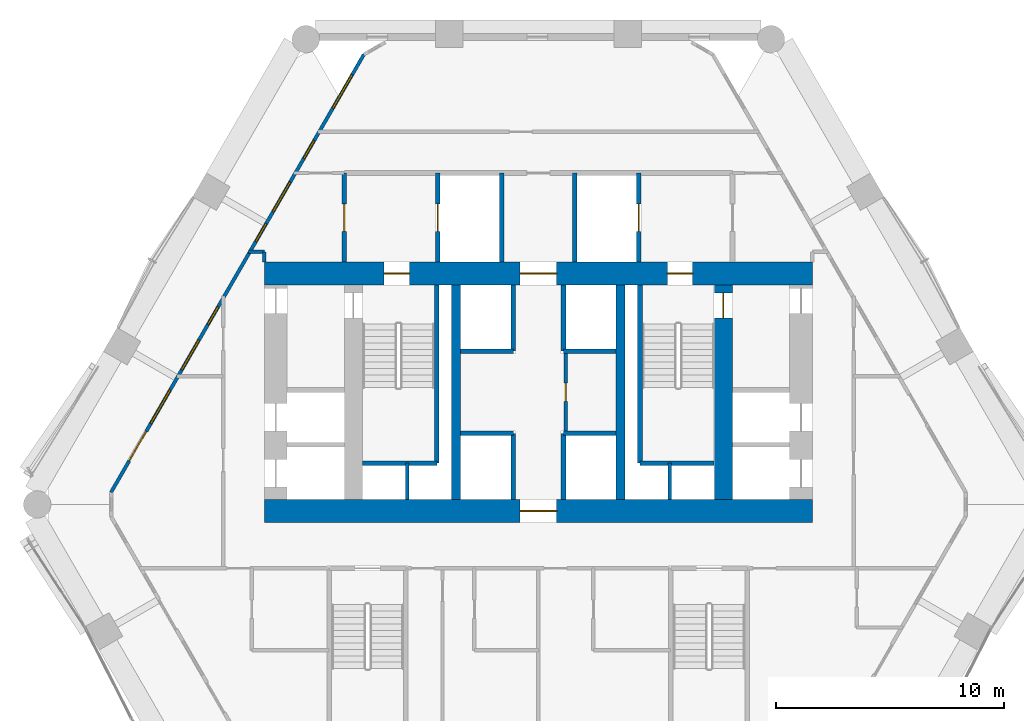
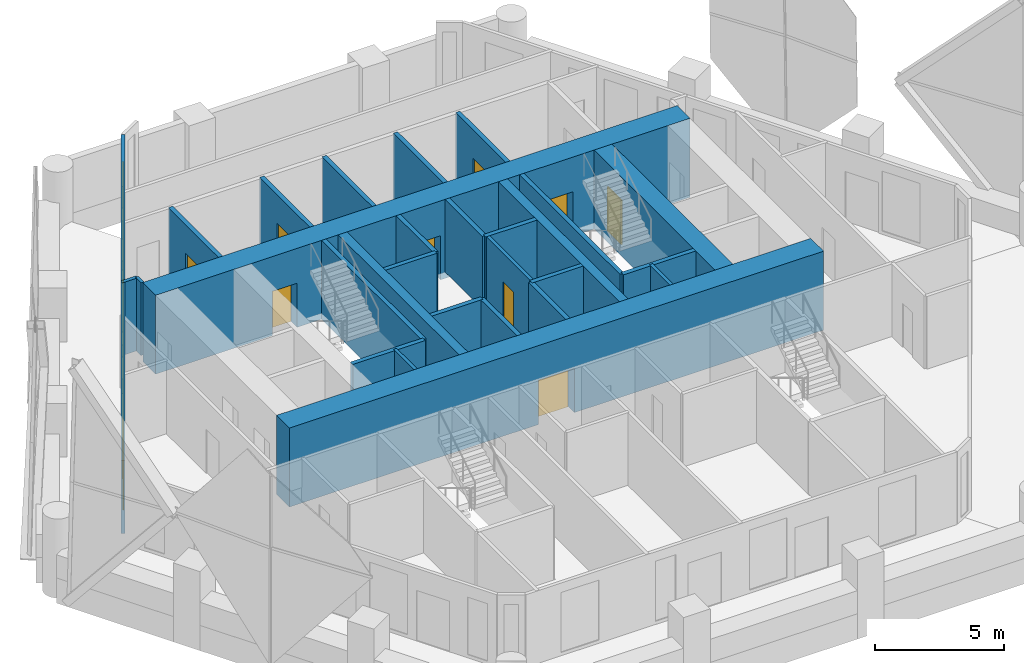
# One storey, part 11 of 17: 28 walls, 10 doors, 7 windows, 17 openings.
"""IFC4 building model written with IfcOpenShell, lengths in metres."""

from ifc_helpers import new_model, si_unit, direction, frame, frame_2d, origin, place, context, subcontext, project, spatial, rectangle, extrude, material, layer, layer_set, type_object, element, fill, save


model = new_model("IFC4")

# Units and contexts
model_context = context("Model", 3, precision=1e-05, world=origin(), true_north=direction((0.0, 1.0)))
body_context = subcontext(model_context, "Body", "Model", "MODEL_VIEW")
ifc_project = project(units=[si_unit("LENGTHUNIT", "METRE"), si_unit("AREAUNIT", "SQUARE_METRE"), si_unit("VOLUMEUNIT", "CUBIC_METRE"), si_unit("PLANEANGLEUNIT", "RADIAN"), si_unit("MASSUNIT", "GRAM", prefix="KILO")], contexts=[model_context])

# Site, building, storey
site_placement = place(None, origin())
site = spatial("IfcSite", under=ifc_project, at=site_placement, CompositionType="ELEMENT")
building_placement = place(site_placement, origin())
building = spatial("IfcBuilding", under=site, at=building_placement, Name="Ostrander Bayou Hotel Tower", CompositionType="ELEMENT")
storey_placement = place(building_placement, frame((0.0, 0.0, 127.25)))
storey = spatial("IfcBuildingStorey", under=building, at=storey_placement, Name="L31", CompositionType="ELEMENT", Elevation=127.25)

# Wall, opening, door
ifc_material_1 = material(Name="Concrete f'c 70 MPa", Category="concrete")
ifc_layer_1 = layer(ifc_material_1, 1.0)
ifc_layer_set_1 = layer_set([ifc_layer_1], Name="CW4 core wall 1000 mm f'c 70 MPa")
wall_type_1 = type_object("IfcWallType", Name="CW4 core wall 1000 mm f'c 70 MPa", PredefinedType="SHEAR", material=ifc_layer_set_1)
wall_1_placement = place(storey_placement, frame((-12.0, -1.199951171875, -0.300048828125), z_axis=(0.0, 0.0, 1.0), x_axis=(1.0, 0.0, 0.0)))
wall_1 = element("IfcWall", 1, at=wall_1_placement, inside=storey, type_object=wall_type_1, Name="CW4 L31 S", PredefinedType="SHEAR", context=body_context, shape_type="SweptSolid", body=[
    extrude(rectangle(XDim=24.0, YDim=1.0, at=frame_2d((12.0, 0.0))), origin(), (0.0, 0.0, 1.0), 3.75),
])
opening_1_placement = place(wall_1_placement, frame((11.199951171875, 0.0, 0.0)))
opening_1 = element("IfcOpeningElement", 2, at=opening_1_placement, cuts=wall_1, Name="Opening T31-001", PredefinedType="OPENING", context=body_context, shape_type="SweptSolid", body=[
    extrude(rectangle(XDim=1.60009765625, YDim=2.10009765625, at=frame_2d((0.800048828125, 1.050048828125))), frame((0.0, 0.5, 0.0), z_axis=(0.0, -1.0, 0.0), x_axis=(1.0, 0.0, 0.0)), (0.0, 0.0, 1.0), 1.0),
])
ifc_material_2 = material(Name="Timber door leaf", Category="wood")
door_type_1 = type_object("IfcDoorType", Name="D13 double door 1600 x 2100 mm, 1 hour", OperationType="SINGLE_SWING_LEFT", PredefinedType="DOOR", material=ifc_material_2)
door_1_placement = place(opening_1_placement, origin())
door_1 = element("IfcDoor", 3, at=door_1_placement, inside=storey, type_object=door_type_1, Name="dr:L31:001", OperationType="DOUBLE_DOOR_SINGLE_SWING", OverallHeight=2.10009765625, OverallWidth=1.60009765625, PredefinedType="DOOR", context=body_context, shape_type="SweptSolid", body=[
    extrude(rectangle(XDim=1.60009765625, YDim=2.10009765625, at=frame_2d((0.800048828125, 1.050048828125))), frame((0.0, 0.02490234375, 0.0), z_axis=(0.0, -1.0, 0.0), x_axis=(1.0, 0.0, 0.0)), (0.0, 0.0, 1.0), 0.050048828125),
])
fill(opening_1, door_1)

# Wall, openings, doors
wall_2_placement = place(storey_placement, frame((-12.0, 9.199951171875, -0.300048828125), z_axis=(0.0, 0.0, 1.0), x_axis=(1.0, 0.0, 0.0)))
wall_2 = element("IfcWall", 4, at=wall_2_placement, inside=storey, type_object=wall_type_1, Name="CW4 L31 N", PredefinedType="SHEAR", context=body_context, shape_type="SweptSolid", body=[
    extrude(rectangle(XDim=24.0, YDim=1.0, at=frame_2d((12.0, 0.0))), origin(), (0.0, 0.0, 1.0), 3.75),
])
opening_2_placement = place(wall_2_placement, frame((11.199951171875, 0.0, 0.0)))
opening_2 = element("IfcOpeningElement", 5, at=opening_2_placement, cuts=wall_2, Name="Opening T31-002", PredefinedType="OPENING", context=body_context, shape_type="SweptSolid", body=[
    extrude(rectangle(XDim=1.60009765625, YDim=2.10009765625, at=frame_2d((0.800048828125, 1.050048828125))), frame((0.0, 0.5, 0.0), z_axis=(0.0, -1.0, 0.0), x_axis=(1.0, 0.0, 0.0)), (0.0, 0.0, 1.0), 1.0),
])
opening_3_placement = place(wall_2_placement, frame((5.25, 0.0, 0.0)))
opening_3 = element("IfcOpeningElement", 6, at=opening_3_placement, cuts=wall_2, Name="Opening T31-003", PredefinedType="OPENING", context=body_context, shape_type="SweptSolid", body=[
    extrude(rectangle(XDim=1.10009765625, YDim=2.10009765625, at=frame_2d((0.550048828125, 1.050048828125))), frame((0.0, 0.5, 0.0), z_axis=(0.0, -1.0, 0.0), x_axis=(1.0, 0.0, 0.0)), (0.0, 0.0, 1.0), 1.0),
])
opening_4_placement = place(wall_2_placement, frame((17.64990234375, 0.0, 0.0)))
opening_4 = element("IfcOpeningElement", 7, at=opening_4_placement, cuts=wall_2, Name="Opening T31-005", PredefinedType="OPENING", context=body_context, shape_type="SweptSolid", body=[
    extrude(rectangle(XDim=1.10009765625, YDim=2.10009765625, at=frame_2d((0.550048828125, 1.050048828125))), frame((0.0, 0.5, 0.0), z_axis=(0.0, -1.0, 0.0), x_axis=(1.0, 0.0, 0.0)), (0.0, 0.0, 1.0), 1.0),
])
door_2_placement = place(opening_2_placement, origin())
door_2 = element("IfcDoor", 8, at=door_2_placement, inside=storey, type_object=door_type_1, Name="dr:L31:002", OperationType="DOUBLE_DOOR_SINGLE_SWING", OverallHeight=2.10009765625, OverallWidth=1.60009765625, PredefinedType="DOOR", context=body_context, shape_type="SweptSolid", body=[
    extrude(rectangle(XDim=1.60009765625, YDim=2.10009765625, at=frame_2d((0.800048828125, 1.050048828125))), frame((0.0, 0.02490234375, 0.0), z_axis=(0.0, -1.0, 0.0), x_axis=(1.0, 0.0, 0.0)), (0.0, 0.0, 1.0), 0.050048828125),
])
fill(opening_2, door_2)
ifc_material_3 = material(Name="Timber door leaf", Category="wood")
door_type_2 = type_object("IfcDoorType", Name="D5 stair door 1100 x 2100 mm, 90 minute", OperationType="SINGLE_SWING_LEFT", PredefinedType="DOOR", material=ifc_material_3)
door_3_placement = place(opening_3_placement, origin())
door_3 = element("IfcDoor", 9, at=door_3_placement, inside=storey, type_object=door_type_2, Name="dr:L31:003", OperationType="SINGLE_SWING_LEFT", OverallHeight=2.10009765625, OverallWidth=1.10009765625, PredefinedType="DOOR", context=body_context, shape_type="SweptSolid", body=[
    extrude(rectangle(XDim=1.10009765625, YDim=2.10009765625, at=frame_2d((0.550048828125, 1.050048828125))), frame((0.0, 0.02490234375, 0.0), z_axis=(0.0, -1.0, 0.0), x_axis=(1.0, 0.0, 0.0)), (0.0, 0.0, 1.0), 0.050048828125),
])
fill(opening_3, door_3)
door_4_placement = place(opening_4_placement, origin())
door_4 = element("IfcDoor", 10, at=door_4_placement, inside=storey, type_object=door_type_2, Name="dr:L31:005", OperationType="SINGLE_SWING_RIGHT", OverallHeight=2.10009765625, OverallWidth=1.10009765625, PredefinedType="DOOR", context=body_context, shape_type="SweptSolid", body=[
    extrude(rectangle(XDim=1.10009765625, YDim=2.10009765625, at=frame_2d((0.550048828125, 1.050048828125))), frame((0.0, 0.02490234375, 0.0), z_axis=(0.0, -1.0, 0.0), x_axis=(1.0, 0.0, 0.0)), (0.0, 0.0, 1.0), 0.050048828125),
])
fill(opening_4, door_4)

# Wall, opening, door
ifc_material_4 = material(Name="Concrete f'c 70 MPa", Category="concrete")
ifc_layer_2 = layer(ifc_material_4, 0.800048828125)
ifc_layer_set_2 = layer_set([ifc_layer_2], Name="CW5 core spine wall 800 mm f'c 70 MPa")
wall_type_2 = type_object("IfcWallType", Name="CW5 core spine wall 800 mm f'c 70 MPa", PredefinedType="SHEAR", material=ifc_layer_set_2)
wall_3_placement = place(storey_placement, frame((8.10009765625, -0.699951171875, -0.300048828125), z_axis=(0.0, 0.0, 1.0), x_axis=(0.0, 1.0, 0.0)))
wall_3 = element("IfcWall", 11, at=wall_3_placement, inside=storey, type_object=wall_type_2, Name="CW5 L31 E", PredefinedType="SHEAR", context=body_context, shape_type="SweptSolid", body=[
    extrude(rectangle(XDim=9.39990234375, YDim=0.800048828125, at=frame_2d((4.699951171875, 0.0))), origin(), (0.0, 0.0, 1.0), 3.75),
])
opening_5_placement = place(wall_3_placement, frame((7.949951171875, 0.0, 0.0)))
opening_5 = element("IfcOpeningElement", 12, at=opening_5_placement, cuts=wall_3, Name="Opening T31-006", PredefinedType="OPENING", context=body_context, shape_type="SweptSolid", body=[
    extrude(rectangle(XDim=1.10009765625, YDim=2.10009765625, at=frame_2d((0.550048828125, 1.050048828125))), frame((0.0, 0.39990234375, 0.0), z_axis=(0.0, -1.0, 0.0), x_axis=(1.0, 0.0, 0.0)), (0.0, 0.0, 1.0), 0.800048828125),
])
door_5_placement = place(opening_5_placement, origin())
door_5 = element("IfcDoor", 13, at=door_5_placement, inside=storey, type_object=door_type_2, Name="dr:L31:006", OperationType="SINGLE_SWING_LEFT", OverallHeight=2.10009765625, OverallWidth=1.10009765625, PredefinedType="DOOR", context=body_context, shape_type="SweptSolid", body=[
    extrude(rectangle(XDim=1.10009765625, YDim=2.10009765625, at=frame_2d((0.550048828125, 1.050048828125))), frame((0.0, 0.02490234375, 0.0), z_axis=(0.0, -1.0, 0.0), x_axis=(1.0, 0.0, 0.0)), (0.0, 0.0, 1.0), 0.050048828125),
])
fill(opening_5, door_5)

# Walls
ifc_material_5 = material(Name="Concrete f'c 70 MPa", Category="concrete")
ifc_layer_3 = layer(ifc_material_5, 0.39990234375)
ifc_layer_set_3 = layer_set([ifc_layer_3], Name="CW6 core bank wall 400 mm f'c 70 MPa")
wall_type_3 = type_object("IfcWallType", Name="CW6 core bank wall 400 mm f'c 70 MPa", PredefinedType="SHEAR", material=ifc_layer_set_3)
for number, where, z_axis, x_axis, name in (
    (14, (-3.60009765625, -0.699951171875, -0.300048828125), (0.0, 0.0, 1.0), (0.0, 1.0, 0.0), "CW6 L31 CW"),
    (15, (3.60009765625, -0.699951171875, -0.300048828125), (0.0, 0.0, 1.0), (0.0, 1.0, 0.0), "CW6 L31 CE"),
):
    element("IfcWall", number, at=place(storey_placement, frame(where, z_axis=z_axis, x_axis=x_axis)), inside=storey, type_object=wall_type_3, Name=name, PredefinedType="SHEAR", context=body_context, shape_type="SweptSolid", body=[
        extrude(rectangle(XDim=9.39990234375, YDim=0.39990234375, at=frame_2d((4.699951171875, 0.0))), origin(), (0.0, 0.0, 1.0), 3.75),
    ])

# Wall, openings, door, windows
ifc_material_6 = material(Name="Aluminium framed insulated wall", Category="aluminium")
ifc_layer_4 = layer(ifc_material_6, 0.14990234375)
ifc_layer_set_4 = layer_set([ifc_layer_4], Name="GW1 glass-line wall 150 mm")
wall_type_4 = type_object("IfcWallType", Name="GW1 glass-line wall 150 mm", PredefinedType="SOLIDWALL", material=ifc_layer_set_4)
wall_4_placement = place(storey_placement, frame((-7.6416015625, 18.79248046875, 0.0), z_axis=(0.0, 0.0, 1.0), x_axis=(-0.500001219746, -0.866024699562, 0.0)))
wall_4 = element("IfcWall", 16, at=wall_4_placement, inside=storey, type_object=wall_type_4, Name="GW1 L31 NW 1", PredefinedType="SOLIDWALL", context=body_context, shape_type="SweptSolid", body=[
    extrude(rectangle(XDim=22.13671875, YDim=0.14990234375, at=frame_2d((11.068359375, 0.0))), origin(), (0.0, 0.0, 1.0), 3.449951171875),
])
opening_6_placement = place(wall_4_placement, frame((4.35400390625, 0.0, 0.14990234375)))
opening_6 = element("IfcOpeningElement", 17, at=opening_6_placement, cuts=wall_4, Name="Opening W16", PredefinedType="OPENING", context=body_context, shape_type="SweptSolid", body=[
    extrude(rectangle(XDim=0.89990234375, YDim=2.85009765625, at=frame_2d((0.449951171875, 1.425048828125))), frame((0.0, 0.074951171875, 0.0), z_axis=(0.0, -1.0, 0.0), x_axis=(1.0, 0.0, 0.0)), (0.0, 0.0, 1.0), 0.14990234375),
])
opening_7_placement = place(wall_4_placement, frame((6.4541015625, 0.0, 0.14990234375)))
opening_7 = element("IfcOpeningElement", 18, at=opening_7_placement, cuts=wall_4, Name="Opening W12", PredefinedType="OPENING", context=body_context, shape_type="SweptSolid", body=[
    extrude(rectangle(XDim=1.5, YDim=2.85009765625, at=frame_2d((0.75, 1.425048828125))), frame((0.0, 0.074951171875, 0.0), z_axis=(0.0, -1.0, 0.0), x_axis=(1.0, 0.0, 0.0)), (0.0, 0.0, 1.0), 0.14990234375),
])
opening_8_placement = place(wall_4_placement, frame((8.553955078125, 0.0, 0.14990234375)))
opening_8 = element("IfcOpeningElement", 19, at=opening_8_placement, cuts=wall_4, Name="Opening W16", PredefinedType="OPENING", context=body_context, shape_type="SweptSolid", body=[
    extrude(rectangle(XDim=0.89990234375, YDim=2.85009765625, at=frame_2d((0.449951171875, 1.425048828125))), frame((0.0, 0.074951171875, 0.0), z_axis=(0.0, -1.0, 0.0), x_axis=(1.0, 0.0, 0.0)), (0.0, 0.0, 1.0), 0.14990234375),
])
opening_9_placement = place(wall_4_placement, frame((12.75390625, 0.0, 0.14990234375)))
opening_9 = element("IfcOpeningElement", 20, at=opening_9_placement, cuts=wall_4, Name="Opening W16", PredefinedType="OPENING", context=body_context, shape_type="SweptSolid", body=[
    extrude(rectangle(XDim=0.89990234375, YDim=2.85009765625, at=frame_2d((0.449951171875, 1.425048828125))), frame((0.0, 0.074951171875, 0.0), z_axis=(0.0, -1.0, 0.0), x_axis=(1.0, 0.0, 0.0)), (0.0, 0.0, 1.0), 0.14990234375),
])
opening_10_placement = place(wall_4_placement, frame((14.44873046875, 0.0, 0.14990234375)))
opening_10 = element("IfcOpeningElement", 21, at=opening_10_placement, cuts=wall_4, Name="Opening W12", PredefinedType="OPENING", context=body_context, shape_type="SweptSolid", body=[
    extrude(rectangle(XDim=1.5, YDim=2.85009765625, at=frame_2d((0.75, 1.425048828125))), frame((0.0, 0.074951171875, 0.0), z_axis=(0.0, -1.0, 0.0), x_axis=(1.0, 0.0, 0.0)), (0.0, 0.0, 1.0), 0.14990234375),
])
opening_11_placement = place(wall_4_placement, frame((16.9541015625, 0.0, 0.14990234375)))
opening_11 = element("IfcOpeningElement", 22, at=opening_11_placement, cuts=wall_4, Name="Opening W2", PredefinedType="OPENING", context=body_context, shape_type="SweptSolid", body=[
    extrude(rectangle(XDim=1.699951171875, YDim=2.85009765625, at=frame_2d((0.85009765625, 1.425048828125))), frame((0.0, 0.074951171875, 0.0), z_axis=(0.0, -1.0, 0.0), x_axis=(1.0, 0.0, 0.0)), (0.0, 0.0, 1.0), 0.14990234375),
])
opening_12_placement = place(wall_4_placement, frame((19.053955078125, 0.0, 0.0)))
opening_12 = element("IfcOpeningElement", 23, at=opening_12_placement, cuts=wall_4, Name="Opening T31-800", PredefinedType="OPENING", context=body_context, shape_type="SweptSolid", body=[
    extrude(rectangle(XDim=1.5, YDim=2.39990234375, at=frame_2d((0.75, 1.199951171875))), frame((0.0, 0.074951171875, 0.0), z_axis=(0.0, -1.0, 0.0), x_axis=(1.0, 0.0, 0.0)), (0.0, 0.0, 1.0), 0.14990234375),
])
opening_13_placement = place(wall_4_placement, frame((1.021484375, 0.0, 0.14990234375)))
opening_13 = element("IfcOpeningElement", 24, at=opening_13_placement, cuts=wall_4, Name="Opening W2", PredefinedType="OPENING", context=body_context, shape_type="SweptSolid", body=[
    extrude(rectangle(XDim=1.699951171875, YDim=2.72998046875, at=frame_2d((0.85009765625, 1.364990234375))), frame((0.0, 0.074951171875, 0.0), z_axis=(0.0, -1.0, 0.0), x_axis=(1.0, 0.0, 0.0)), (0.0, 0.0, 1.0), 0.14990234375),
])
ifc_material_7 = material(Name="Aluminium and clear glass", Category="aluminium")
door_type_3 = type_object("IfcDoorType", Name="SD2 sliding glass door 1500 mm, zone 2", OperationType="SLIDING_TO_LEFT", PredefinedType="DOOR", material=ifc_material_7)
door_6_placement = place(opening_12_placement, origin())
door_6 = element("IfcDoor", 25, at=door_6_placement, inside=storey, type_object=door_type_3, Name="SD2 L31 NW 4", OperationType="SLIDING_TO_RIGHT", OverallHeight=2.39990234375, OverallWidth=1.5, PredefinedType="DOOR", context=body_context, shape_type="SweptSolid", body=[
    extrude(rectangle(XDim=1.5, YDim=2.39990234375, at=frame_2d((0.75, 1.199951171875))), frame((0.0, 0.02490234375, 0.0), z_axis=(0.0, -1.0, 0.0), x_axis=(1.0, 0.0, 0.0)), (0.0, 0.0, 1.0), 0.050048828125),
])
fill(opening_12, door_6)
ifc_material_8 = material(Name="Aluminium and clear glass", Category="aluminium")
window_type_1 = type_object("IfcWindowType", Name="W12 fixed window 1500 mm, bath bay, zone 2", PartitioningType="SINGLE_PANEL", PredefinedType="WINDOW", material=ifc_material_8)
window_1_placement = place(opening_7_placement, origin())
window_1 = element("IfcWindow", 26, at=window_1_placement, inside=storey, type_object=window_type_1, Name="W12 L31 NW 1", OverallHeight=2.85009765625, OverallWidth=1.5, PartitioningType="SINGLE_PANEL", PredefinedType="WINDOW", context=body_context, shape_type="SweptSolid", body=[
    extrude(rectangle(XDim=1.5, YDim=2.85009765625, at=frame_2d((0.75, 1.425048828125))), frame((0.0, 0.030029296875, 0.0), z_axis=(0.0, -1.0, 0.0), x_axis=(1.0, 0.0, 0.0)), (0.0, 0.0, 1.0), 0.06005859375),
])
fill(opening_7, window_1)
window_2_placement = place(opening_10_placement, origin())
window_2 = element("IfcWindow", 27, at=window_2_placement, inside=storey, type_object=window_type_1, Name="W12 L31 NW 3", OverallHeight=2.85009765625, OverallWidth=1.5, PartitioningType="SINGLE_PANEL", PredefinedType="WINDOW", context=body_context, shape_type="SweptSolid", body=[
    extrude(rectangle(XDim=1.5, YDim=2.85009765625, at=frame_2d((0.75, 1.425048828125))), frame((0.0, 0.030029296875, 0.0), z_axis=(0.0, -1.0, 0.0), x_axis=(1.0, 0.0, 0.0)), (0.0, 0.0, 1.0), 0.06005859375),
])
fill(opening_10, window_2)
ifc_material_9 = material(Name="Aluminium and clear glass", Category="aluminium")
window_type_2 = type_object("IfcWindowType", Name="W16 window 900 mm, zone 2", PartitioningType="SINGLE_PANEL", PredefinedType="WINDOW", material=ifc_material_9)
window_3_placement = place(opening_6_placement, origin())
window_3 = element("IfcWindow", 28, at=window_3_placement, inside=storey, type_object=window_type_2, Name="W16 L31 NW 1", OverallHeight=2.85009765625, OverallWidth=0.89990234375, PartitioningType="SINGLE_PANEL", PredefinedType="WINDOW", context=body_context, shape_type="SweptSolid", body=[
    extrude(rectangle(XDim=0.89990234375, YDim=2.85009765625, at=frame_2d((0.449951171875, 1.425048828125))), frame((0.0, 0.030029296875, 0.0), z_axis=(0.0, -1.0, 0.0), x_axis=(1.0, 0.0, 0.0)), (0.0, 0.0, 1.0), 0.06005859375),
])
fill(opening_6, window_3)
window_4_placement = place(opening_8_placement, origin())
window_4 = element("IfcWindow", 29, at=window_4_placement, inside=storey, type_object=window_type_2, Name="W16 L31 NW 2", OverallHeight=2.85009765625, OverallWidth=0.89990234375, PartitioningType="SINGLE_PANEL", PredefinedType="WINDOW", context=body_context, shape_type="SweptSolid", body=[
    extrude(rectangle(XDim=0.89990234375, YDim=2.85009765625, at=frame_2d((0.449951171875, 1.425048828125))), frame((0.0, 0.030029296875, 0.0), z_axis=(0.0, -1.0, 0.0), x_axis=(1.0, 0.0, 0.0)), (0.0, 0.0, 1.0), 0.06005859375),
])
fill(opening_8, window_4)
window_5_placement = place(opening_9_placement, origin())
window_5 = element("IfcWindow", 30, at=window_5_placement, inside=storey, type_object=window_type_2, Name="W16 L31 NW 3", OverallHeight=2.85009765625, OverallWidth=0.89990234375, PartitioningType="SINGLE_PANEL", PredefinedType="WINDOW", context=body_context, shape_type="SweptSolid", body=[
    extrude(rectangle(XDim=0.89990234375, YDim=2.85009765625, at=frame_2d((0.449951171875, 1.425048828125))), frame((0.0, 0.030029296875, 0.0), z_axis=(0.0, -1.0, 0.0), x_axis=(1.0, 0.0, 0.0)), (0.0, 0.0, 1.0), 0.06005859375),
])
fill(opening_9, window_5)
ifc_material_10 = material(Name="Aluminium and clear glass", Category="aluminium")
window_type_3 = type_object("IfcWindowType", Name="W2 fixed window 1700 mm, zone 2", PartitioningType="SINGLE_PANEL", PredefinedType="WINDOW", material=ifc_material_10)
window_6_placement = place(opening_11_placement, origin())
window_6 = element("IfcWindow", 31, at=window_6_placement, inside=storey, type_object=window_type_3, Name="W2 L31 NW 4", OverallHeight=2.85009765625, OverallWidth=1.699951171875, PartitioningType="SINGLE_PANEL", PredefinedType="WINDOW", context=body_context, shape_type="SweptSolid", body=[
    extrude(rectangle(XDim=1.699951171875, YDim=2.85009765625, at=frame_2d((0.85009765625, 1.425048828125))), frame((0.0, 0.030029296875, 0.0), z_axis=(0.0, -1.0, 0.0), x_axis=(1.0, 0.0, 0.0)), (0.0, 0.0, 1.0), 0.06005859375),
])
fill(opening_11, window_6)
window_7_placement = place(opening_13_placement, origin())
window_7 = element("IfcWindow", 32, at=window_7_placement, inside=storey, type_object=window_type_3, Name="W2 L31 NW E11", OverallHeight=2.72998046875, OverallWidth=1.699951171875, PartitioningType="SINGLE_PANEL", PredefinedType="WINDOW", context=body_context, shape_type="SweptSolid", body=[
    extrude(rectangle(XDim=1.699951171875, YDim=2.72998046875, at=frame_2d((0.85009765625, 1.364990234375))), frame((0.0, 0.030029296875, 0.0), z_axis=(0.0, -1.0, 0.0), x_axis=(1.0, 0.0, 0.0)), (0.0, 0.0, 1.0), 0.06005859375),
])
fill(opening_13, window_7)

# Wall, opening, door
ifc_material_11 = material(Name="Masonry block", Category="masonry")
ifc_layer_5 = layer(ifc_material_11, 0.199951171875)
ifc_layer_set_5 = layer_set([ifc_layer_5], Name="PT5 stair enclosure wall 200 mm masonry, 2 hour")
wall_type_5 = type_object("IfcWallType", Name="PT5 stair enclosure wall 200 mm masonry, 2 hour", PredefinedType="PARTITIONING", material=ifc_layer_set_5)
wall_5_placement = place(storey_placement, frame((-8.5, 9.699951171875, 0.0), z_axis=(0.0, 0.0, 1.0), x_axis=(0.0, 1.0, 0.0)))
wall_5 = element("IfcWall", 33, at=wall_5_placement, inside=storey, type_object=wall_type_5, Name="cs:L31:026", PredefinedType="PARTITIONING", context=body_context, shape_type="SweptSolid", body=[
    extrude(rectangle(XDim=3.900146484375, YDim=0.199951171875, at=frame_2d((1.9501953125, 0.0))), origin(), (0.0, 0.0, 1.0), 3.449951171875),
])
opening_14_placement = place(wall_5_placement, frame((1.35009765625, 0.0, 0.0)))
opening_14 = element("IfcOpeningElement", 34, at=opening_14_placement, cuts=wall_5, Name="Opening T31-010", PredefinedType="OPENING", context=body_context, shape_type="SweptSolid", body=[
    extrude(rectangle(XDim=1.199951171875, YDim=2.10009765625, at=frame_2d((0.60009765625, 1.050048828125))), frame((0.0, 0.10009765625, 0.0), z_axis=(0.0, -1.0, 0.0), x_axis=(1.0, 0.0, 0.0)), (0.0, 0.0, 1.0), 0.199951171875),
])
ifc_material_12 = material(Name="Timber door leaf", Category="wood")
door_type_4 = type_object("IfcDoorType", Name="D7 lobby door 1200 x 2100 mm, 1 hour", OperationType="SINGLE_SWING_LEFT", PredefinedType="DOOR", material=ifc_material_12)
door_7_placement = place(opening_14_placement, origin())
door_7 = element("IfcDoor", 35, at=door_7_placement, inside=storey, type_object=door_type_4, Name="dr:L31:010", OperationType="SINGLE_SWING_LEFT", OverallHeight=2.10009765625, OverallWidth=1.199951171875, PredefinedType="DOOR", context=body_context, shape_type="SweptSolid", body=[
    extrude(rectangle(XDim=1.199951171875, YDim=2.10009765625, at=frame_2d((0.60009765625, 1.050048828125))), frame((0.0, 0.02490234375, 0.0), z_axis=(0.0, -1.0, 0.0), x_axis=(1.0, 0.0, 0.0)), (0.0, 0.0, 1.0), 0.050048828125),
])
fill(opening_14, door_7)

wall_6_placement = place(storey_placement, frame((-4.39990234375, 9.699951171875, 0.0), z_axis=(0.0, 0.0, 1.0), x_axis=(0.0, 1.0, 0.0)))
wall_6 = element("IfcWall", 36, at=wall_6_placement, inside=storey, type_object=wall_type_5, Name="cs:L31:028", PredefinedType="PARTITIONING", context=body_context, shape_type="SweptSolid", body=[
    extrude(rectangle(XDim=3.900146484375, YDim=0.199951171875, at=frame_2d((1.9501953125, 0.0))), origin(), (0.0, 0.0, 1.0), 3.449951171875),
])
opening_15_placement = place(wall_6_placement, frame((1.35009765625, 0.0, 0.0)))
opening_15 = element("IfcOpeningElement", 37, at=opening_15_placement, cuts=wall_6, Name="Opening T31-009", PredefinedType="OPENING", context=body_context, shape_type="SweptSolid", body=[
    extrude(rectangle(XDim=1.199951171875, YDim=2.10009765625, at=frame_2d((0.60009765625, 1.050048828125))), frame((0.0, 0.10009765625, 0.0), z_axis=(0.0, -1.0, 0.0), x_axis=(1.0, 0.0, 0.0)), (0.0, 0.0, 1.0), 0.199951171875),
])
ifc_material_13 = material(Name="Stainless steel sliding door", Category="steel")
door_type_5 = type_object("IfcDoorType", Name="LD1 lift landing door 1200 x 2100 mm", OperationType="SINGLE_SWING_LEFT", PredefinedType="DOOR", material=ifc_material_13)
door_8_placement = place(opening_15_placement, origin())
door_8 = element("IfcDoor", 38, at=door_8_placement, inside=storey, type_object=door_type_5, Name="dr:L31:009", OperationType="SLIDING_TO_LEFT", OverallHeight=2.10009765625, OverallWidth=1.199951171875, PredefinedType="DOOR", context=body_context, shape_type="SweptSolid", body=[
    extrude(rectangle(XDim=1.199951171875, YDim=2.10009765625, at=frame_2d((0.60009765625, 1.050048828125))), frame((0.0, 0.02490234375, 0.0), z_axis=(0.0, -1.0, 0.0), x_axis=(1.0, 0.0, 0.0)), (0.0, 0.0, 1.0), 0.050048828125),
])
fill(opening_15, door_8)

wall_7_placement = place(storey_placement, frame((4.39990234375, 9.699951171875, 0.0), z_axis=(0.0, 0.0, 1.0), x_axis=(0.0, 1.0, 0.0)))
wall_7 = element("IfcWall", 39, at=wall_7_placement, inside=storey, type_object=wall_type_5, Name="cs:L31:029", PredefinedType="PARTITIONING", context=body_context, shape_type="SweptSolid", body=[
    extrude(rectangle(XDim=3.900146484375, YDim=0.199951171875, at=frame_2d((1.9501953125, 0.0))), origin(), (0.0, 0.0, 1.0), 3.449951171875),
])
opening_16_placement = place(wall_7_placement, frame((1.35009765625, 0.0, 0.0)))
opening_16 = element("IfcOpeningElement", 40, at=opening_16_placement, cuts=wall_7, Name="Opening T31-011", PredefinedType="OPENING", context=body_context, shape_type="SweptSolid", body=[
    extrude(rectangle(XDim=1.199951171875, YDim=2.10009765625, at=frame_2d((0.60009765625, 1.050048828125))), frame((0.0, 0.10009765625, 0.0), z_axis=(0.0, -1.0, 0.0), x_axis=(1.0, 0.0, 0.0)), (0.0, 0.0, 1.0), 0.199951171875),
])
door_9_placement = place(opening_16_placement, origin())
door_9 = element("IfcDoor", 41, at=door_9_placement, inside=storey, type_object=door_type_5, Name="dr:L31:011", OperationType="SLIDING_TO_LEFT", OverallHeight=2.10009765625, OverallWidth=1.199951171875, PredefinedType="DOOR", context=body_context, shape_type="SweptSolid", body=[
    extrude(rectangle(XDim=1.199951171875, YDim=2.10009765625, at=frame_2d((0.60009765625, 1.050048828125))), frame((0.0, 0.02490234375, 0.0), z_axis=(0.0, -1.0, 0.0), x_axis=(1.0, 0.0, 0.0)), (0.0, 0.0, 1.0), 0.050048828125),
])
fill(opening_16, door_9)

# Walls
ifc_material_14 = material(Name="Masonry block", Category="masonry")
ifc_layer_6 = layer(ifc_material_14, 0.199951171875)
ifc_layer_set_6 = layer_set([ifc_layer_6], Name="PT6 lift shaft wall 200 mm masonry, 2 hour")
wall_type_6 = type_object("IfcWallType", Name="PT6 lift shaft wall 200 mm masonry, 2 hour", PredefinedType="PARTITIONING", material=ifc_layer_set_6)
for number, where, z_axis, x_axis, name in (
    (42, (-3.39990234375, 2.199951171875, 0.0), (0.0, 0.0, 1.0), (1.0, 0.0, 0.0), "cs:L31:001"),
    (43, (-3.39990234375, 5.800048828125, 0.0), (0.0, 0.0, 1.0), (1.0, 0.0, 0.0), "cs:L31:002"),
    (44, (1.10009765625, 2.199951171875, 0.0), (0.0, 0.0, 1.0), (1.0, 0.0, 0.0), "cs:L31:003"),
    (45, (1.10009765625, 5.800048828125, 0.0), (0.0, 0.0, 1.0), (1.0, 0.0, 0.0), "cs:L31:004"),
):
    element("IfcWall", number, at=place(storey_placement, frame(where, z_axis=z_axis, x_axis=x_axis)), inside=storey, type_object=wall_type_6, Name=name, PredefinedType="PARTITIONING", context=body_context, shape_type="SweptSolid", body=[
        extrude(rectangle(XDim=2.2998046875, YDim=0.199951171875, at=frame_2d((1.14990234375, 0.0))), origin(), (0.0, 0.0, 1.0), 3.449951171875),
    ])
for number, where, z_axis, x_axis, name in (
    (46, (-1.10009765625, -0.699951171875, 0.0), (0.0, 0.0, 1.0), (0.0, 1.0, 0.0), "cs:L31:005"),
    (47, (1.10009765625, -0.699951171875, 0.0), (0.0, 0.0, 1.0), (0.0, 1.0, 0.0), "cs:L31:006"),
    (48, (-1.10009765625, 5.800048828125, 0.0), (0.0, 0.0, 1.0), (0.0, 1.0, 0.0), "cs:L31:007"),
    (49, (1.10009765625, 5.800048828125, 0.0), (0.0, 0.0, 1.0), (0.0, 1.0, 0.0), "cs:L31:008"),
):
    element("IfcWall", number, at=place(storey_placement, frame(where, z_axis=z_axis, x_axis=x_axis)), inside=storey, type_object=wall_type_6, Name=name, PredefinedType="PARTITIONING", context=body_context, shape_type="SweptSolid", body=[
        extrude(rectangle(XDim=2.89990234375, YDim=0.199951171875, at=frame_2d((1.449951171875, 0.0))), origin(), (0.0, 0.0, 1.0), 3.449951171875),
    ])
for number, where, z_axis, x_axis, name in (
    (50, (-1.60009765625, 9.699951171875, 0.0), (0.0, 0.0, 1.0), (0.0, 1.0, 0.0), "cs:L31:030"),
    (51, (1.60009765625, 9.699951171875, 0.0), (0.0, 0.0, 1.0), (0.0, 1.0, 0.0), "cs:L31:031"),
):
    element("IfcWall", number, at=place(storey_placement, frame(where, z_axis=z_axis, x_axis=x_axis)), inside=storey, type_object=wall_type_6, Name=name, PredefinedType="PARTITIONING", context=body_context, shape_type="SweptSolid", body=[
        extrude(rectangle(XDim=3.900146484375, YDim=0.199951171875, at=frame_2d((1.9501953125, 0.0))), origin(), (0.0, 0.0, 1.0), 3.449951171875),
    ])
ifc_material_15 = material(Name="Gypsum board partition", Category="finish")
ifc_layer_7 = layer(ifc_material_15, 0.14990234375)
ifc_layer_set_7 = layer_set([ifc_layer_7], Name="PT7 riser wall 150 mm, 2 hour")
wall_type_7 = type_object("IfcWallType", Name="PT7 riser wall 150 mm, 2 hour", PredefinedType="PARTITIONING", material=ifc_layer_set_7)
for number, where, z_axis, x_axis, name in (
    (52, (-5.75, -0.699951171875, 0.0), (0.0, 0.0, 1.0), (0.0, 1.0, 0.0), "cs:L31:011"),
    (53, (5.75, -0.699951171875, 0.0), (0.0, 0.0, 1.0), (0.0, 1.0, 0.0), "cs:L31:014"),
):
    element("IfcWall", number, at=place(storey_placement, frame(where, z_axis=z_axis, x_axis=x_axis)), inside=storey, type_object=wall_type_7, Name=name, PredefinedType="PARTITIONING", context=body_context, shape_type="SweptSolid", body=[
        extrude(rectangle(XDim=1.599853515625, YDim=0.14990234375, at=frame_2d((0.7998046875, 0.0))), origin(), (0.0, 0.0, 1.0), 3.449951171875),
    ])

# Wall, opening, door
wall_8_placement = place(storey_placement, frame((1.199951171875, 2.300048828125, 0.0), z_axis=(0.0, 0.0, 1.0), x_axis=(0.0, 1.0, 0.0)))
wall_8 = element("IfcWall", 54, at=wall_8_placement, inside=storey, type_object=wall_type_7, Name="cs:L31:032", PredefinedType="PARTITIONING", context=body_context, shape_type="SweptSolid", body=[
    extrude(rectangle(XDim=3.39990234375, YDim=0.14990234375, at=frame_2d((1.699951171875, 0.0))), origin(), (0.0, 0.0, 1.0), 3.449951171875),
])
opening_17_placement = place(wall_8_placement, frame((1.300048828125, 0.0, 0.0)))
opening_17 = element("IfcOpeningElement", 55, at=opening_17_placement, cuts=wall_8, Name="Opening T31-014", PredefinedType="OPENING", context=body_context, shape_type="SweptSolid", body=[
    extrude(rectangle(XDim=0.800048828125, YDim=2.10009765625, at=frame_2d((0.39990234375, 1.050048828125))), frame((0.0, 0.074951171875, 0.0), z_axis=(0.0, -1.0, 0.0), x_axis=(1.0, 0.0, 0.0)), (0.0, 0.0, 1.0), 0.14990234375),
])
ifc_material_16 = material(Name="Timber door leaf", Category="wood")
door_type_6 = type_object("IfcDoorType", Name="D6 riser door 800 x 2100 mm, 90 minute", OperationType="SINGLE_SWING_LEFT", PredefinedType="DOOR", material=ifc_material_16)
door_10_placement = place(opening_17_placement, origin())
door_10 = element("IfcDoor", 56, at=door_10_placement, inside=storey, type_object=door_type_6, Name="dr:L31:014", OperationType="SINGLE_SWING_RIGHT", OverallHeight=2.10009765625, OverallWidth=0.800048828125, PredefinedType="DOOR", context=body_context, shape_type="SweptSolid", body=[
    extrude(rectangle(XDim=0.800048828125, YDim=2.10009765625, at=frame_2d((0.39990234375, 1.050048828125))), frame((0.0, 0.02490234375, 0.0), z_axis=(0.0, -1.0, 0.0), x_axis=(1.0, 0.0, 0.0)), (0.0, 0.0, 1.0), 0.050048828125),
])
fill(opening_17, door_10)

# Walls
ifc_material_17 = material(Name="Gypsum board partition", Category="finish")
ifc_layer_8 = layer(ifc_material_17, 0.14990234375)
ifc_layer_set_8 = layer_set([ifc_layer_8], Name="PT8 service band wall 150 mm, 1 hour")
wall_type_8 = type_object("IfcWallType", Name="PT8 service band wall 150 mm, 1 hour", PredefinedType="PARTITIONING", material=ifc_layer_set_8)
wall_9_placement = place(storey_placement, frame((-12.68310546875, 10.14990234375, 0.0), z_axis=(0.0, 0.0, 1.0), x_axis=(1.0, 0.0, 0.0)))
element("IfcWall", 57, at=wall_9_placement, inside=storey, type_object=wall_type_8, Name="gw:L31:010", PredefinedType="PARTITIONING", context=body_context, shape_type="SweptSolid", body=[
    extrude(rectangle(XDim=0.68310546875, YDim=0.14990234375, at=frame_2d((0.341552734375, 0.0))), origin(), (0.0, 0.0, 1.0), 3.449951171875),
])
wall_10_placement = place(storey_placement, frame((-12.0, 9.7099609375, 0.0), z_axis=(0.0, 0.0, 1.0), x_axis=(0.0, 1.0, 0.0)))
element("IfcWall", 58, at=wall_10_placement, inside=storey, type_object=wall_type_8, Name="gw:L31:025", PredefinedType="PARTITIONING", context=body_context, shape_type="SweptSolid", body=[
    extrude(rectangle(XDim=0.43994140625, YDim=0.14990234375, at=frame_2d((0.219970703125, 0.0))), origin(), (0.0, 0.0, 1.0), 3.449951171875),
])
ifc_material_18 = material(Name="Concrete f'c 45 MPa", Category="concrete")
ifc_layer_9 = layer(ifc_material_18, 0.199951171875)
ifc_layer_set_9 = layer_set([ifc_layer_9], Name="SW5 stair enclosure wall 200 mm f'c 45 MPa")
wall_type_9 = type_object("IfcWallType", Name="SW5 stair enclosure wall 200 mm f'c 45 MPa", PredefinedType="SOLIDWALL", material=ifc_layer_set_9)
wall_11_placement = place(storey_placement, frame((-4.449951171875, 0.89990234375, -0.300048828125), z_axis=(0.0, 0.0, 1.0), x_axis=(0.0, 1.0, 0.0)))
element("IfcWall", 59, at=wall_11_placement, inside=storey, type_object=wall_type_9, Name="cs:L31:009", PredefinedType="SOLIDWALL", context=body_context, shape_type="SweptSolid", body=[
    extrude(rectangle(XDim=7.800048828125, YDim=0.199951171875, at=frame_2d((3.89990234375, 0.0))), origin(), (0.0, 0.0, 1.0), 3.75),
])
wall_12_placement = place(storey_placement, frame((-7.699951171875, 0.89990234375, -0.300048828125), z_axis=(0.0, 0.0, 1.0), x_axis=(1.0, 0.0, 0.0)))
element("IfcWall", 60, at=wall_12_placement, inside=storey, type_object=wall_type_9, Name="cs:L31:010", PredefinedType="SOLIDWALL", context=body_context, shape_type="SweptSolid", body=[
    extrude(rectangle(XDim=3.25, YDim=0.199951171875, at=frame_2d((1.625, 0.0))), origin(), (0.0, 0.0, 1.0), 3.75),
])
wall_13_placement = place(storey_placement, frame((4.449951171875, 0.89990234375, -0.300048828125), z_axis=(0.0, 0.0, 1.0), x_axis=(0.0, 1.0, 0.0)))
element("IfcWall", 61, at=wall_13_placement, inside=storey, type_object=wall_type_9, Name="cs:L31:012", PredefinedType="SOLIDWALL", context=body_context, shape_type="SweptSolid", body=[
    extrude(rectangle(XDim=7.800048828125, YDim=0.199951171875, at=frame_2d((3.89990234375, 0.0))), origin(), (0.0, 0.0, 1.0), 3.75),
])
wall_14_placement = place(storey_placement, frame((4.449951171875, 0.89990234375, -0.300048828125), z_axis=(0.0, 0.0, 1.0), x_axis=(1.0, 0.0, 0.0)))
element("IfcWall", 62, at=wall_14_placement, inside=storey, type_object=wall_type_9, Name="cs:L31:013", PredefinedType="SOLIDWALL", context=body_context, shape_type="SweptSolid", body=[
    extrude(rectangle(XDim=3.25, YDim=0.199951171875, at=frame_2d((1.625, 0.0))), origin(), (0.0, 0.0, 1.0), 3.75),
])

save(model, "model.ifc")
